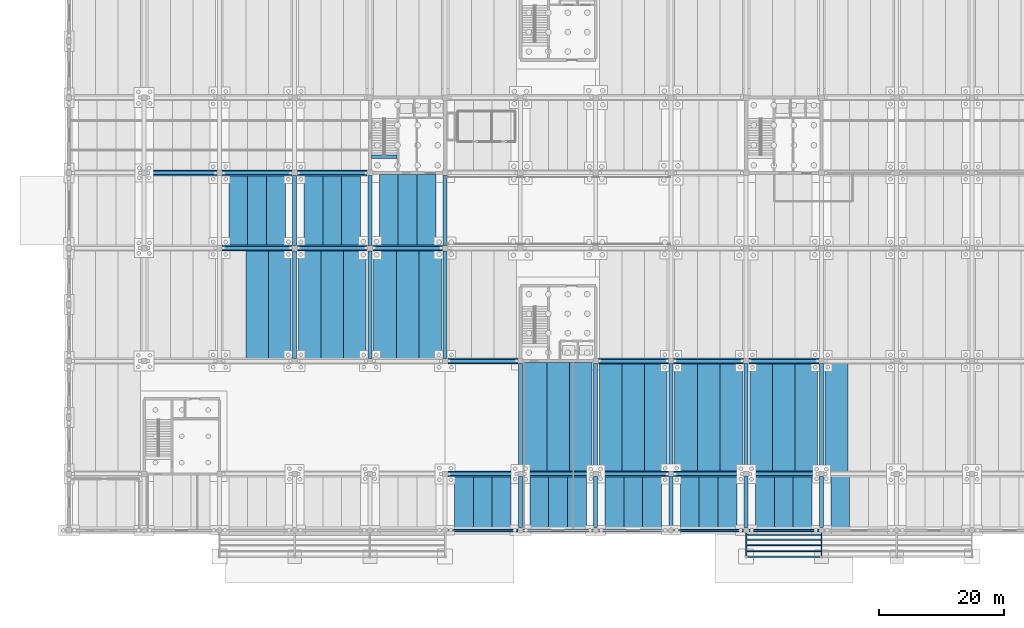
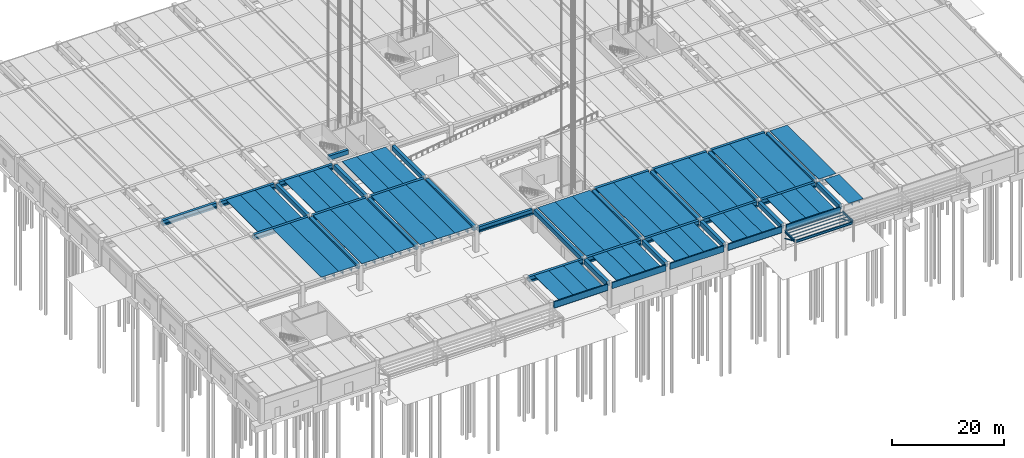
# One storey, part 13 of 59: 89 beams, 6 members.
"""IFC4 building model written with IfcOpenShell, lengths in metres."""

from ifc_helpers import new_model, si_unit, direction, frame, origin, origin_2d, place, context, subcontext, project, spatial, polyline, rectangle, hollow_rectangle, hollow_circle, i_section, outline, extrude, material, material_profile, profile_set, type_object, element, save


model = new_model("IFC4")

# Units and contexts
model_context = context("Model", 3, precision=1e-05, world=origin(), true_north=direction((0.0, 1.0)))
body_context = subcontext(model_context, "Body", "Model", "MODEL_VIEW")
ifc_project = project(units=[si_unit("LENGTHUNIT", "METRE"), si_unit("AREAUNIT", "SQUARE_METRE"), si_unit("VOLUMEUNIT", "CUBIC_METRE"), si_unit("PLANEANGLEUNIT", "RADIAN"), si_unit("MASSUNIT", "GRAM", prefix="KILO")], contexts=[model_context])

# Site, building, storey
site_placement = place(None, origin())
site = spatial("IfcSite", under=ifc_project, at=site_placement, CompositionType="ELEMENT")
building_placement = place(site_placement, origin())
building = spatial("IfcBuilding", under=site, at=building_placement, Name="Girod Span Mobility Hub", CompositionType="ELEMENT")
storey_placement = place(building_placement, origin())
storey = spatial("IfcBuildingStorey", under=building, at=storey_placement, Name="L00", CompositionType="ELEMENT", Elevation=0.0)

# Beams
ifc_material_1 = material(Name="Concrete C50/60", Category="concrete")
ifc_material_profile_1 = material_profile(ifc_material_1, outline(polyline([(-1.5, 0.35009765625), (-1.5, 0.2548828125), (-0.840087890625, 0.2548828125), (-0.81494140625, -0.35009765625), (-0.68505859375, -0.35009765625), (-0.659912109375, 0.2548828125), (0.659912109375, 0.2548828125), (0.68505859375, -0.35009765625), (0.81494140625, -0.35009765625), (0.840087890625, 0.2548828125), (1.5, 0.2548828125), (1.5, 0.35009765625), (-1.5, 0.35009765625)])), Name="DT-3000X700")
ifc_profile_set_1 = profile_set([ifc_material_profile_1], Name="Concrete C50/60")
beam_type_1 = type_object("IfcBeamType", Name="BM-DT-3000X700", PredefinedType="JOIST", material=ifc_profile_set_1)
for number, where, z_axis, x_axis, name in (
    (1, (27.0, 45.27197265625, 4.85009765625), (0.0, 1.0, 0.0), (-1.0, 0.0, 0.0), "Double-Tee Deck 3/D-1 L00"),
    (2, (30.0, 45.27197265625, 4.85009765625), (0.0, 1.0, 0.0), (-1.0, 0.0, 0.0), "Double-Tee Deck 3/D-2 L00"),
    (3, (33.0, 45.27197265625, 4.85009765625), (0.0, 1.0, 0.0), (-1.0, 0.0, 0.0), "Double-Tee Deck 3/D-3 L00"),
    (4, (39.0, 45.27197265625, 4.85009765625), (0.0, 1.0, 0.0), (-1.0, 0.0, 0.0), "Double-Tee Deck 4/D-1 L00"),
    (5, (42.0, 45.27197265625, 4.85009765625), (0.0, 1.0, 0.0), (-1.0, 0.0, 0.0), "Double-Tee Deck 4/D-2 L00"),
    (6, (45.0, 45.27197265625, 4.85009765625), (0.0, 1.0, 0.0), (-1.0, 0.0, 0.0), "Double-Tee Deck 4/D-3 L00"),
):
    element("IfcBeam", number, at=place(storey_placement, frame(where, z_axis=z_axis, x_axis=x_axis)), inside=storey, type_object=beam_type_1, Name=name, PredefinedType="JOIST", context=body_context, shape_type="SweptSolid", body=[
        extrude(outline(polyline([(-1.5, 0.35009765625), (-1.5, 0.2548828125), (-0.840087890625, 0.2548828125), (-0.81494140625, -0.35009765625), (-0.68505859375, -0.35009765625), (-0.659912109375, 0.2548828125), (0.659912109375, 0.2548828125), (0.68505859375, -0.35009765625), (0.81494140625, -0.35009765625), (0.840087890625, 0.2548828125), (1.5, 0.2548828125), (1.5, 0.35009765625), (-1.5, 0.35009765625)])), origin(), (0.0, 0.0, 1.0), 11.4560546875),
    ])
for number, where, z_axis, x_axis, name in (
    (7, (51.0, 45.27197265625, 4.85009765625), (0.0, 1.0, 0.0), (-1.0, 0.0, 0.0), "Double-Tee Deck 5/D-1 L00"),
    (8, (54.0, 45.27197265625, 4.85009765625), (0.0, 1.0, 0.0), (-1.0, 0.0, 0.0), "Double-Tee Deck 5/D-2 L00"),
    (9, (57.0, 45.27197265625, 4.85009765625), (0.0, 1.0, 0.0), (-1.0, 0.0, 0.0), "Double-Tee Deck 5/D-3 L00"),
):
    element("IfcBeam", number, at=place(storey_placement, frame(where, z_axis=z_axis, x_axis=x_axis)), inside=storey, type_object=beam_type_1, Name=name, PredefinedType="JOIST", context=body_context, shape_type="SweptSolid", body=[
        extrude(outline(polyline([(-1.5, 0.35009765625), (-1.5, 0.2548828125), (-0.840087890625, 0.2548828125), (-0.81494140625, -0.35009765625), (-0.68505859375, -0.35009765625), (-0.659912109375, 0.2548828125), (0.659912109375, 0.2548828125), (0.68505859375, -0.35009765625), (0.81494140625, -0.35009765625), (0.840087890625, 0.2548828125), (1.5, 0.2548828125), (1.5, 0.35009765625), (-1.5, 0.35009765625)])), origin(), (0.0, 0.0, 1.0), 11.48095703125),
    ])
for number, where, z_axis, x_axis, name in (
    (10, (63.0, 0.02197265625, 4.85009765625), (0.0, 1.0, 0.0), (-1.0, 0.0, 0.0), "Double-Tee Deck 6/A-1 L00"),
    (11, (66.0, 0.02197265625, 4.85009765625), (0.0, 1.0, 0.0), (-1.0, 0.0, 0.0), "Double-Tee Deck 6/A-2 L00"),
    (12, (69.0, 0.02197265625, 4.85009765625), (0.0, 1.0, 0.0), (-1.0, 0.0, 0.0), "Double-Tee Deck 6/A-3 L00"),
    (13, (75.0, 0.02197265625, 4.85009765625), (0.0, 1.0, 0.0), (-1.0, 0.0, 0.0), "Double-Tee Deck 7/A-1 L00"),
    (14, (78.0, 0.02197265625, 4.85009765625), (0.0, 1.0, 0.0), (-1.0, 0.0, 0.0), "Double-Tee Deck 7/A-2 L00"),
    (15, (81.0, 0.02197265625, 4.85009765625), (0.0, 1.0, 0.0), (-1.0, 0.0, 0.0), "Double-Tee Deck 7/A-3 L00"),
    (16, (87.0, 0.02197265625, 4.85009765625), (0.0, 1.0, 0.0), (-1.0, 0.0, 0.0), "Double-Tee Deck 8/A-1 L00"),
    (17, (90.0, 0.02197265625, 4.85009765625), (0.0, 1.0, 0.0), (-1.0, 0.0, 0.0), "Double-Tee Deck 8/A-2 L00"),
    (18, (93.0, 0.02197265625, 4.85009765625), (0.0, 1.0, 0.0), (-1.0, 0.0, 0.0), "Double-Tee Deck 8/A-3 L00"),
    (19, (99.0, 0.02197265625, 4.85009765625), (0.0, 1.0, 0.0), (-1.0, 0.0, 0.0), "Double-Tee Deck 9/A-1 L00"),
    (20, (102.0, 0.02197265625, 4.85009765625), (0.0, 1.0, 0.0), (-1.0, 0.0, 0.0), "Double-Tee Deck 9/A-2 L00"),
    (21, (105.0, 0.02197265625, 4.85009765625), (0.0, 1.0, 0.0), (-1.0, 0.0, 0.0), "Double-Tee Deck 9/A-3 L00"),
    (22, (111.0, 0.02197265625, 4.85009765625), (0.0, 1.0, 0.0), (-1.0, 0.0, 0.0), "Double-Tee Deck 10/A-1 L00"),
    (23, (114.0, 0.02197265625, 4.85009765625), (0.0, 1.0, 0.0), (-1.0, 0.0, 0.0), "Double-Tee Deck 10/A-2 L00"),
    (24, (117.0, 0.02197265625, 4.85009765625), (0.0, 1.0, 0.0), (-1.0, 0.0, 0.0), "Double-Tee Deck 10/A-3 L00"),
    (25, (123.0, 0.02197265625, 4.85009765625), (0.0, 1.0, 0.0), (-1.0, 0.0, 0.0), "Double-Tee Deck 11/A-1 L00"),
):
    element("IfcBeam", number, at=place(storey_placement, frame(where, z_axis=z_axis, x_axis=x_axis)), inside=storey, type_object=beam_type_1, Name=name, PredefinedType="JOIST", context=body_context, shape_type="SweptSolid", body=[
        extrude(outline(polyline([(-1.5, 0.35009765625), (-1.5, 0.2548828125), (-0.840087890625, 0.2548828125), (-0.81494140625, -0.35009765625), (-0.68505859375, -0.35009765625), (-0.659912109375, 0.2548828125), (0.659912109375, 0.2548828125), (0.68505859375, -0.35009765625), (0.81494140625, -0.35009765625), (0.840087890625, 0.2548828125), (1.5, 0.2548828125), (1.5, 0.35009765625), (-1.5, 0.35009765625)])), origin(), (0.0, 0.0, 1.0), 8.7060546875),
    ])
ifc_material_2 = material(Name="Concrete C50/60", Category="concrete")
ifc_material_profile_2 = material_profile(ifc_material_2, outline(polyline([(-1.800048828125, 0.47509765625), (-1.800048828125, 0.364990234375), (-1.010009765625, 0.364990234375), (-0.97509765625, -0.47509765625), (-0.824951171875, -0.47509765625), (-0.7900390625, 0.364990234375), (0.7900390625, 0.364990234375), (0.824951171875, -0.47509765625), (0.97509765625, -0.47509765625), (1.010009765625, 0.364990234375), (1.800048828125, 0.364990234375), (1.800048828125, 0.47509765625), (-1.800048828125, 0.47509765625)])), Name="DT-3600X950")
ifc_profile_set_2 = profile_set([ifc_material_profile_2], Name="Concrete C50/60")
beam_type_2 = type_object("IfcBeamType", Name="BM-DT-3600X950", PredefinedType="JOIST", material=ifc_profile_set_2)
for number, where, z_axis, x_axis, name in (
    (26, (30.0, 27.27197265625, 4.72509765625), (0.0, 1.0, 0.0), (-1.0, 0.0, 0.0), "Double-Tee Deck 3/C-2 L00"),
    (27, (33.60009765625, 27.27197265625, 4.72509765625), (0.0, 1.0, 0.0), (-1.0, 0.0, 0.0), "Double-Tee Deck 3/C-3 L00"),
    (28, (38.39990234375, 27.27197265625, 4.72509765625), (0.0, 1.0, 0.0), (-1.0, 0.0, 0.0), "Double-Tee Deck 4/C-1 L00"),
    (29, (42.0, 27.27197265625, 4.72509765625), (0.0, 1.0, 0.0), (-1.0, 0.0, 0.0), "Double-Tee Deck 4/C-2 L00"),
    (30, (45.60009765625, 27.27197265625, 4.72509765625), (0.0, 1.0, 0.0), (-1.0, 0.0, 0.0), "Double-Tee Deck 4/C-3 L00"),
    (31, (50.39990234375, 27.27197265625, 4.72509765625), (0.0, 1.0, 0.0), (-1.0, 0.0, 0.0), "Double-Tee Deck 5/C-1 L00"),
    (32, (54.0, 27.27197265625, 4.72509765625), (0.0, 1.0, 0.0), (-1.0, 0.0, 0.0), "Double-Tee Deck 5/C-2 L00"),
    (33, (57.60009765625, 27.27197265625, 4.72509765625), (0.0, 1.0, 0.0), (-1.0, 0.0, 0.0), "Double-Tee Deck 5/C-3 L00"),
):
    element("IfcBeam", number, at=place(storey_placement, frame(where, z_axis=z_axis, x_axis=x_axis)), inside=storey, type_object=beam_type_2, Name=name, PredefinedType="JOIST", context=body_context, shape_type="SweptSolid", body=[
        extrude(outline(polyline([(-1.800048828125, 0.47509765625), (-1.800048828125, 0.364990234375), (-1.010009765625, 0.364990234375), (-0.97509765625, -0.47509765625), (-0.824951171875, -0.47509765625), (-0.7900390625, 0.364990234375), (0.7900390625, 0.364990234375), (0.824951171875, -0.47509765625), (0.97509765625, -0.47509765625), (1.010009765625, 0.364990234375), (1.800048828125, 0.364990234375), (1.800048828125, 0.47509765625), (-1.800048828125, 0.47509765625)])), origin(), (0.0, 0.0, 1.0), 17.4560546875),
    ])
for number, where, z_axis, x_axis, name in (
    (34, (74.39990234375, 9.27197265625, 4.72509765625), (0.0, 1.0, 0.0), (-1.0, 0.0, 0.0), "Double-Tee Deck 7/B-1 L00"),
    (35, (78.0, 9.27197265625, 4.72509765625), (0.0, 1.0, 0.0), (-1.0, 0.0, 0.0), "Double-Tee Deck 7/B-2 L00"),
    (36, (81.60009765625, 9.27197265625, 4.72509765625), (0.0, 1.0, 0.0), (-1.0, 0.0, 0.0), "Double-Tee Deck 7/B-3 L00"),
):
    element("IfcBeam", number, at=place(storey_placement, frame(where, z_axis=z_axis, x_axis=x_axis)), inside=storey, type_object=beam_type_2, Name=name, PredefinedType="JOIST", context=body_context, shape_type="SweptSolid", body=[
        extrude(outline(polyline([(-1.800048828125, 0.47509765625), (-1.800048828125, 0.364990234375), (-1.010009765625, 0.364990234375), (-0.97509765625, -0.47509765625), (-0.824951171875, -0.47509765625), (-0.7900390625, 0.364990234375), (0.7900390625, 0.364990234375), (0.824951171875, -0.47509765625), (0.97509765625, -0.47509765625), (1.010009765625, 0.364990234375), (1.800048828125, 0.364990234375), (1.800048828125, 0.47509765625), (-1.800048828125, 0.47509765625)])), origin(), (0.0, 0.0, 1.0), 17.506103515625),
    ])
for number, where, z_axis, x_axis, name in (
    (37, (86.39990234375, 9.27197265625, 4.72509765625), (0.0, 1.0, 0.0), (-1.0, 0.0, 0.0), "Double-Tee Deck 8/B-1 L00"),
    (38, (90.0, 9.27197265625, 4.72509765625), (0.0, 1.0, 0.0), (-1.0, 0.0, 0.0), "Double-Tee Deck 8/B-2 L00"),
    (39, (93.60009765625, 9.27197265625, 4.72509765625), (0.0, 1.0, 0.0), (-1.0, 0.0, 0.0), "Double-Tee Deck 8/B-3 L00"),
    (40, (98.39990234375, 9.27197265625, 4.72509765625), (0.0, 1.0, 0.0), (-1.0, 0.0, 0.0), "Double-Tee Deck 9/B-1 L00"),
    (41, (102.0, 9.27197265625, 4.72509765625), (0.0, 1.0, 0.0), (-1.0, 0.0, 0.0), "Double-Tee Deck 9/B-2 L00"),
    (42, (105.60009765625, 9.27197265625, 4.72509765625), (0.0, 1.0, 0.0), (-1.0, 0.0, 0.0), "Double-Tee Deck 9/B-3 L00"),
    (43, (110.39990234375, 9.27197265625, 4.72509765625), (0.0, 1.0, 0.0), (-1.0, 0.0, 0.0), "Double-Tee Deck 10/B-1 L00"),
    (44, (114.0, 9.27197265625, 4.72509765625), (0.0, 1.0, 0.0), (-1.0, 0.0, 0.0), "Double-Tee Deck 10/B-2 L00"),
    (45, (117.60009765625, 9.27197265625, 4.72509765625), (0.0, 1.0, 0.0), (-1.0, 0.0, 0.0), "Double-Tee Deck 10/B-3 L00"),
    (46, (122.39990234375, 9.27197265625, 4.72509765625), (0.0, 1.0, 0.0), (-1.0, 0.0, 0.0), "Double-Tee Deck 11/B-1 L00"),
):
    element("IfcBeam", number, at=place(storey_placement, frame(where, z_axis=z_axis, x_axis=x_axis)), inside=storey, type_object=beam_type_2, Name=name, PredefinedType="JOIST", context=body_context, shape_type="SweptSolid", body=[
        extrude(outline(polyline([(-1.800048828125, 0.47509765625), (-1.800048828125, 0.364990234375), (-1.010009765625, 0.364990234375), (-0.97509765625, -0.47509765625), (-0.824951171875, -0.47509765625), (-0.7900390625, 0.364990234375), (0.7900390625, 0.364990234375), (0.824951171875, -0.47509765625), (0.97509765625, -0.47509765625), (1.010009765625, 0.364990234375), (1.800048828125, 0.364990234375), (1.800048828125, 0.47509765625), (-1.800048828125, 0.47509765625)])), origin(), (0.0, 0.0, 1.0), 17.4560546875),
    ])
ifc_material_3 = material(Name="Concrete C50/60", Category="concrete")
ifc_material_profile_3 = material_profile(ifc_material_3, outline(polyline([(-0.47509765625, -0.52490234375), (0.47509765625, -0.52490234375), (0.47509765625, -0.175048828125), (0.27490234375, -0.175048828125), (0.27490234375, 0.52490234375), (-0.27490234375, 0.52490234375), (-0.27490234375, -0.175048828125), (-0.47509765625, -0.175048828125), (-0.47509765625, -0.52490234375)])), Name="IT-950X1050")
ifc_profile_set_3 = profile_set([ifc_material_profile_3], Name="Concrete C50/60")
beam_type_3 = type_object("IfcBeamType", Name="BM-IT-950X1050", PredefinedType="T_BEAM", material=ifc_profile_set_3)
for number, where, z_axis, x_axis, name in (
    (47, (60.422119140625, 9.0, 4.675048828125), (1.0, 0.0, 0.0), (0.0, 1.0, 0.0), "Girder 6-7/B L00"),
    (48, (72.422119140625, 9.0, 4.675048828125), (1.0, 0.0, 0.0), (0.0, 1.0, 0.0), "Girder 7-8/B L00"),
    (49, (84.422119140625, 9.0, 4.675048828125), (1.0, 0.0, 0.0), (0.0, 1.0, 0.0), "Girder 8-9/B L00"),
    (50, (96.422119140625, 9.0, 4.675048828125), (1.0, 0.0, 0.0), (0.0, 1.0, 0.0), "Girder 9-10/B L00"),
    (51, (108.422119140625, 9.0, 4.675048828125), (1.0, 0.0, 0.0), (0.0, 1.0, 0.0), "Girder 10-11/B L00"),
    (52, (60.422119140625, 27.0, 4.675048828125), (1.0, 0.0, 0.0), (0.0, 1.0, 0.0), "Girder 6-7/C L00"),
    (53, (84.422119140625, 27.0, 4.675048828125), (1.0, 0.0, 0.0), (0.0, 1.0, 0.0), "Girder 8-9/C L00"),
    (54, (96.422119140625, 27.0, 4.675048828125), (1.0, 0.0, 0.0), (0.0, 1.0, 0.0), "Girder 9-10/C L00"),
    (55, (108.422119140625, 27.0, 4.675048828125), (1.0, 0.0, 0.0), (0.0, 1.0, 0.0), "Girder 10-11/C L00"),
    (56, (24.422119140625, 45.0, 4.675048828125), (1.0, 0.0, 0.0), (0.0, 1.0, 0.0), "Girder 3-4/D L00"),
):
    element("IfcBeam", number, at=place(storey_placement, frame(where, z_axis=z_axis, x_axis=x_axis)), inside=storey, type_object=beam_type_3, Name=name, PredefinedType="T_BEAM", context=body_context, shape_type="SweptSolid", body=[
        extrude(outline(polyline([(-0.47509765625, -0.52490234375), (0.47509765625, -0.52490234375), (0.47509765625, -0.175048828125), (0.27490234375, -0.175048828125), (0.27490234375, 0.52490234375), (-0.27490234375, 0.52490234375), (-0.27490234375, -0.175048828125), (-0.47509765625, -0.175048828125), (-0.47509765625, -0.52490234375)])), origin(), (0.0, 0.0, 1.0), 11.15576171875),
    ])
beam_1_placement = place(storey_placement, frame((36.422119140625, 45.0, 4.675048828125), z_axis=(1.0, 0.0, 0.0), x_axis=(0.0, 1.0, 0.0)))
element("IfcBeam", 57, at=beam_1_placement, inside=storey, type_object=beam_type_3, Name="Girder 4-5/D L00", PredefinedType="T_BEAM", context=body_context, shape_type="SweptSolid", body=[
    extrude(outline(polyline([(-0.47509765625, -0.52490234375), (0.47509765625, -0.52490234375), (0.47509765625, -0.175048828125), (0.27490234375, -0.175048828125), (0.27490234375, 0.52490234375), (-0.27490234375, 0.52490234375), (-0.27490234375, -0.175048828125), (-0.47509765625, -0.175048828125), (-0.47509765625, -0.52490234375)])), origin(), (0.0, 0.0, 1.0), 11.130859375),
])
beam_2_placement = place(storey_placement, frame((48.447021484375, 45.0, 4.675048828125), z_axis=(1.0, 0.0, 0.0), x_axis=(0.0, 1.0, 0.0)))
element("IfcBeam", 58, at=beam_2_placement, inside=storey, type_object=beam_type_3, Name="Girder 5-6/D L00", PredefinedType="T_BEAM", context=body_context, shape_type="SweptSolid", body=[
    extrude(outline(polyline([(-0.47509765625, -0.52490234375), (0.47509765625, -0.52490234375), (0.47509765625, -0.175048828125), (0.27490234375, -0.175048828125), (0.27490234375, 0.52490234375), (-0.27490234375, 0.52490234375), (-0.27490234375, -0.175048828125), (-0.47509765625, -0.175048828125), (-0.47509765625, -0.52490234375)])), origin(), (0.0, 0.0, 1.0), 11.10595703125),
])
for number, where, z_axis, x_axis, name in (
    (59, (12.422119140625, 57.0, 4.675048828125), (1.0, 0.0, 0.0), (0.0, 1.0, 0.0), "Girder 2-3/E L00"),
    (60, (24.422119140625, 57.0, 4.675048828125), (1.0, 0.0, 0.0), (0.0, 1.0, 0.0), "Girder 3-4/E L00"),
):
    element("IfcBeam", number, at=place(storey_placement, frame(where, z_axis=z_axis, x_axis=x_axis)), inside=storey, type_object=beam_type_3, Name=name, PredefinedType="T_BEAM", context=body_context, shape_type="SweptSolid", body=[
        extrude(outline(polyline([(-0.47509765625, -0.52490234375), (0.47509765625, -0.52490234375), (0.47509765625, -0.175048828125), (0.27490234375, -0.175048828125), (0.27490234375, 0.52490234375), (-0.27490234375, 0.52490234375), (-0.27490234375, -0.175048828125), (-0.47509765625, -0.175048828125), (-0.47509765625, -0.52490234375)])), origin(), (0.0, 0.0, 1.0), 11.15576171875),
    ])
beam_3_placement = place(storey_placement, frame((36.422119140625, 57.0, 4.675048828125), z_axis=(1.0, 0.0, 0.0), x_axis=(0.0, 1.0, 0.0)))
element("IfcBeam", 61, at=beam_3_placement, inside=storey, type_object=beam_type_3, Name="Girder 4-5/E L00", PredefinedType="T_BEAM", context=body_context, shape_type="SweptSolid", body=[
    extrude(outline(polyline([(-0.47509765625, -0.52490234375), (0.47509765625, -0.52490234375), (0.47509765625, -0.175048828125), (0.27490234375, -0.175048828125), (0.27490234375, 0.52490234375), (-0.27490234375, 0.52490234375), (-0.27490234375, -0.175048828125), (-0.47509765625, -0.175048828125), (-0.47509765625, -0.52490234375)])), origin(), (0.0, 0.0, 1.0), 11.130859375),
])
ifc_material_4 = material(Name="Steel HSS A500 Grade C", Category="steel")
ifc_material_profile_4 = material_profile(ifc_material_4, hollow_rectangle(XDim=0.152099609375, YDim=0.152099609375, WallThickness=0.0087890625, InnerFilletRadius=0.0087890625, OuterFilletRadius=0.017578125, at=origin_2d()), Name="HSS152X152X9.5")
ifc_profile_set_4 = profile_set([ifc_material_profile_4], Name="Steel HSS A500 Grade C")
beam_type_4 = type_object("IfcBeamType", Name="BM-LTL-HSS152", PredefinedType="LINTEL", material=ifc_profile_set_4)
for number, where, z_axis, x_axis, name in (
    (62, (60.422119140625, 0.0, 3.72412109375), (1.0, 0.0, 0.0), (0.0, 1.0, 0.0), "Boulevard Portal Lintel LTL-4"),
    (63, (96.422119140625, 0.0, 3.72412109375), (1.0, 0.0, 0.0), (0.0, 1.0, 0.0), "Boulevard Portal Lintel LTL-5"),
    (64, (108.422119140625, 0.0, 3.72412109375), (1.0, 0.0, 0.0), (0.0, 1.0, 0.0), "Boulevard Portal Lintel LTL-6"),
):
    element("IfcBeam", number, at=place(storey_placement, frame(where, z_axis=z_axis, x_axis=x_axis)), inside=storey, type_object=beam_type_4, Name=name, PredefinedType="LINTEL", context=body_context, shape_type="SweptSolid", body=[
        extrude(hollow_rectangle(XDim=0.152099609375, YDim=0.152099609375, WallThickness=0.0087890625, InnerFilletRadius=0.0087890625, OuterFilletRadius=0.017578125, at=origin_2d()), origin(), (0.0, 0.0, 1.0), 11.15576171875),
    ])
ifc_material_5 = material(Name="Concrete C40/50", Category="concrete")
ifc_material_profile_5 = material_profile(ifc_material_5, rectangle(XDim=0.550048828125, YDim=0.949951171875, at=origin_2d()), Name="RK-550X950")
ifc_profile_set_5 = profile_set([ifc_material_profile_5], Name="Concrete C40/50")
beam_type_5 = type_object("IfcBeamType", Name="BM-RK-550X950", PredefinedType="BEAM", material=ifc_profile_set_5)
beam_4_placement = place(storey_placement, frame((48.2470703125, 59.550048828125, 4.72509765625), z_axis=(1.0, 0.0, 0.0), x_axis=(0.0, 1.0, 0.0)))
element("IfcBeam", 65, at=beam_4_placement, inside=storey, type_object=beam_type_5, Name="Stair ST-1 Landing Header Beam L00", PredefinedType="BEAM", context=body_context, shape_type="SweptSolid", body=[
    extrude(rectangle(XDim=0.550048828125, YDim=0.949951171875, at=origin_2d()), origin(), (0.0, 0.0, 1.0), 4.055908203125),
])
ifc_material_6 = material(Name="Concrete C40/50", Category="concrete")
ifc_material_profile_6 = material_profile(ifc_material_6, outline(polyline([(-0.22509765625, -0.675048828125), (0.22509765625, -0.675048828125), (0.22509765625, -0.324951171875), (0.02490234375, -0.324951171875), (0.02490234375, 0.675048828125), (-0.22509765625, 0.675048828125), (-0.22509765625, -0.675048828125)])), Name="SP-450X1350")
ifc_profile_set_6 = profile_set([ifc_material_profile_6], Name="Concrete C40/50")
beam_type_6 = type_object("IfcBeamType", Name="BM-SP-450X1350", PredefinedType="SPANDREL", material=ifc_profile_set_6)
for number, where, z_axis, x_axis, name in (
    (66, (60.422119140625, 0.0, 4.52490234375), (1.0, 0.0, 0.0), (0.0, 1.0, 0.0), "Girder 6-7/A L00"),
    (67, (72.422119140625, 0.0, 4.52490234375), (1.0, 0.0, 0.0), (0.0, 1.0, 0.0), "Girder 7-8/A L00"),
    (68, (84.422119140625, 0.0, 4.52490234375), (1.0, 0.0, 0.0), (0.0, 1.0, 0.0), "Girder 8-9/A L00"),
    (69, (96.422119140625, 0.0, 4.52490234375), (1.0, 0.0, 0.0), (0.0, 1.0, 0.0), "Girder 9-10/A L00"),
    (70, (108.422119140625, 0.0, 4.52490234375), (1.0, 0.0, 0.0), (0.0, 1.0, 0.0), "Girder 10-11/A L00"),
):
    element("IfcBeam", number, at=place(storey_placement, frame(where, z_axis=z_axis, x_axis=x_axis)), inside=storey, type_object=beam_type_6, Name=name, PredefinedType="SPANDREL", context=body_context, shape_type="SweptSolid", body=[
        extrude(outline(polyline([(-0.22509765625, -0.675048828125), (0.22509765625, -0.675048828125), (0.22509765625, -0.324951171875), (0.02490234375, -0.324951171875), (0.02490234375, 0.675048828125), (-0.22509765625, 0.675048828125), (-0.22509765625, -0.675048828125)])), origin(), (0.0, 0.0, 1.0), 11.15576171875),
    ])
ifc_material_7 = material(Name="Steel A992 Grade 50", Category="steel")
ifc_material_profile_7 = material_profile(ifc_material_7, i_section(OverallWidth=0.2119140625, OverallDepth=0.5439453125, WebThickness=0.01318359375, FlangeThickness=0.021240234375, FilletRadius=0.014892578125, at=origin_2d()), Name="W21X83")
ifc_profile_set_7 = profile_set([ifc_material_profile_7], Name="Steel A992 Grade 50")
beam_type_7 = type_object("IfcBeamType", Name="BM-STL-W21X83", PredefinedType="SPANDREL", material=ifc_profile_set_7)
for number, where, z_axis, x_axis, name in (
    (71, (108.0, -4.041015625, 4.14794921875), (0.0, 1.0, 0.0), (-1.0, 0.0, 0.0), "Canopy Tie Girder E-1"),
    (72, (120.0, -4.041015625, 4.14794921875), (0.0, 1.0, 0.0), (-1.0, 0.0, 0.0), "Canopy Tie Girder E-2"),
):
    element("IfcBeam", number, at=place(storey_placement, frame(where, z_axis=z_axis, x_axis=x_axis)), inside=storey, type_object=beam_type_7, Name=name, PredefinedType="BEAM", context=body_context, shape_type="SweptSolid", body=[
        extrude(i_section(OverallWidth=0.2119140625, OverallDepth=0.5439453125, WebThickness=0.01318359375, FlangeThickness=0.021240234375, FilletRadius=0.014892578125, at=origin_2d()), origin(), (0.0, 0.0, 1.0), 3.618896484375),
    ])
beam_5_placement = place(storey_placement, frame((108.158935546875, -4.199951171875, 4.14794921875), z_axis=(1.0, 0.0, 0.0), x_axis=(0.0, 1.0, 0.0)))
element("IfcBeam", 73, at=beam_5_placement, inside=storey, type_object=beam_type_7, Name="Canopy Edge Spandrel E-1", PredefinedType="SPANDREL", context=body_context, shape_type="SweptSolid", body=[
    extrude(i_section(OverallWidth=0.2119140625, OverallDepth=0.5439453125, WebThickness=0.01318359375, FlangeThickness=0.021240234375, FilletRadius=0.014892578125, at=origin_2d()), origin(), (0.0, 0.0, 1.0), 11.68212890625),
])
ifc_material_8 = material(Name="Concrete C40/50", Category="concrete")
ifc_material_profile_8 = material_profile(ifc_material_8, rectangle(XDim=0.64990234375, YDim=1.0, at=origin_2d()), Name="TG-650X1000")
ifc_profile_set_8 = profile_set([ifc_material_profile_8], Name="Concrete C40/50")
beam_type_8 = type_object("IfcBeamType", Name="BM-TG-650X1000", PredefinedType="T_BEAM", material=ifc_profile_set_8)
beam_6_placement = place(storey_placement, frame((36.0, 27.422119140625, 4.699951171875), z_axis=(0.0, 1.0, 0.0), x_axis=(-1.0, 0.0, 0.0)))
element("IfcBeam", 74, at=beam_6_placement, inside=storey, type_object=beam_type_8, Name="Tie Girder 4/C-D L00", PredefinedType="T_BEAM", context=body_context, shape_type="SweptSolid", body=[
    extrude(rectangle(XDim=0.64990234375, YDim=1.0, at=origin_2d()), origin(), (0.0, 0.0, 1.0), 17.15576171875),
])
beam_7_placement = place(storey_placement, frame((36.0, 45.422119140625, 4.699951171875), z_axis=(0.0, 1.0, 0.0), x_axis=(-1.0, 0.0, 0.0)))
element("IfcBeam", 75, at=beam_7_placement, inside=storey, type_object=beam_type_8, Name="Tie Girder 4/D-E L00", PredefinedType="T_BEAM", context=body_context, shape_type="SweptSolid", body=[
    extrude(rectangle(XDim=0.64990234375, YDim=1.0, at=origin_2d()), origin(), (0.0, 0.0, 1.0), 11.15576171875),
])
beam_8_placement = place(storey_placement, frame((48.0, 27.422119140625, 4.699951171875), z_axis=(0.0, 1.0, 0.0), x_axis=(-1.0, 0.0, 0.0)))
element("IfcBeam", 76, at=beam_8_placement, inside=storey, type_object=beam_type_8, Name="Tie Girder 5/C-D L00", PredefinedType="T_BEAM", context=body_context, shape_type="SweptSolid", body=[
    extrude(rectangle(XDim=0.64990234375, YDim=1.0, at=origin_2d()), origin(), (0.0, 0.0, 1.0), 17.130859375),
])
beam_9_placement = place(storey_placement, frame((48.0, 45.447021484375, 4.699951171875), z_axis=(0.0, 1.0, 0.0), x_axis=(-1.0, 0.0, 0.0)))
element("IfcBeam", 77, at=beam_9_placement, inside=storey, type_object=beam_type_8, Name="Tie Girder 5/D-E L00", PredefinedType="T_BEAM", context=body_context, shape_type="SweptSolid", body=[
    extrude(rectangle(XDim=0.64990234375, YDim=1.0, at=origin_2d()), origin(), (0.0, 0.0, 1.0), 11.10595703125),
])
beam_10_placement = place(storey_placement, frame((60.0, 27.422119140625, 4.699951171875), z_axis=(0.0, 1.0, 0.0), x_axis=(-1.0, 0.0, 0.0)))
element("IfcBeam", 78, at=beam_10_placement, inside=storey, type_object=beam_type_8, Name="Tie Girder 6/C-D L00", PredefinedType="T_BEAM", context=body_context, shape_type="SweptSolid", body=[
    extrude(rectangle(XDim=0.64990234375, YDim=1.0, at=origin_2d()), origin(), (0.0, 0.0, 1.0), 17.130859375),
])
beam_11_placement = place(storey_placement, frame((60.0, 45.447021484375, 4.699951171875), z_axis=(0.0, 1.0, 0.0), x_axis=(-1.0, 0.0, 0.0)))
element("IfcBeam", 79, at=beam_11_placement, inside=storey, type_object=beam_type_8, Name="Tie Girder 6/D-E L00", PredefinedType="T_BEAM", context=body_context, shape_type="SweptSolid", body=[
    extrude(rectangle(XDim=0.64990234375, YDim=1.0, at=origin_2d()), origin(), (0.0, 0.0, 1.0), 11.10595703125),
])
beam_12_placement = place(storey_placement, frame((72.0, 0.422119140625, 4.699951171875), z_axis=(0.0, 1.0, 0.0), x_axis=(-1.0, 0.0, 0.0)))
element("IfcBeam", 80, at=beam_12_placement, inside=storey, type_object=beam_type_8, Name="Tie Girder 7/A-B L00", PredefinedType="T_BEAM", context=body_context, shape_type="SweptSolid", body=[
    extrude(rectangle(XDim=0.64990234375, YDim=1.0, at=origin_2d()), origin(), (0.0, 0.0, 1.0), 8.15576171875),
])
beam_13_placement = place(storey_placement, frame((72.0, 9.422119140625, 4.699951171875), z_axis=(0.0, 1.0, 0.0), x_axis=(-1.0, 0.0, 0.0)))
element("IfcBeam", 81, at=beam_13_placement, inside=storey, type_object=beam_type_8, Name="Tie Girder 7/B-C L00", PredefinedType="T_BEAM", context=body_context, shape_type="SweptSolid", body=[
    extrude(rectangle(XDim=0.64990234375, YDim=1.0, at=origin_2d()), origin(), (0.0, 0.0, 1.0), 17.15576171875),
])
beam_14_placement = place(storey_placement, frame((84.0, 0.422119140625, 4.699951171875), z_axis=(0.0, 1.0, 0.0), x_axis=(-1.0, 0.0, 0.0)))
element("IfcBeam", 82, at=beam_14_placement, inside=storey, type_object=beam_type_8, Name="Tie Girder 8/A-B L00", PredefinedType="T_BEAM", context=body_context, shape_type="SweptSolid", body=[
    extrude(rectangle(XDim=0.64990234375, YDim=1.0, at=origin_2d()), origin(), (0.0, 0.0, 1.0), 8.15576171875),
])
beam_15_placement = place(storey_placement, frame((84.0, 9.422119140625, 4.699951171875), z_axis=(0.0, 1.0, 0.0), x_axis=(-1.0, 0.0, 0.0)))
element("IfcBeam", 83, at=beam_15_placement, inside=storey, type_object=beam_type_8, Name="Tie Girder 8/B-C L00", PredefinedType="T_BEAM", context=body_context, shape_type="SweptSolid", body=[
    extrude(rectangle(XDim=0.64990234375, YDim=1.0, at=origin_2d()), origin(), (0.0, 0.0, 1.0), 17.15576171875),
])
beam_16_placement = place(storey_placement, frame((96.0, 0.422119140625, 4.699951171875), z_axis=(0.0, 1.0, 0.0), x_axis=(-1.0, 0.0, 0.0)))
element("IfcBeam", 84, at=beam_16_placement, inside=storey, type_object=beam_type_8, Name="Tie Girder 9/A-B L00", PredefinedType="T_BEAM", context=body_context, shape_type="SweptSolid", body=[
    extrude(rectangle(XDim=0.64990234375, YDim=1.0, at=origin_2d()), origin(), (0.0, 0.0, 1.0), 8.15576171875),
])
beam_17_placement = place(storey_placement, frame((96.0, 9.422119140625, 4.699951171875), z_axis=(0.0, 1.0, 0.0), x_axis=(-1.0, 0.0, 0.0)))
element("IfcBeam", 85, at=beam_17_placement, inside=storey, type_object=beam_type_8, Name="Tie Girder 9/B-C L00", PredefinedType="T_BEAM", context=body_context, shape_type="SweptSolid", body=[
    extrude(rectangle(XDim=0.64990234375, YDim=1.0, at=origin_2d()), origin(), (0.0, 0.0, 1.0), 17.15576171875),
])
beam_18_placement = place(storey_placement, frame((108.0, 0.422119140625, 4.699951171875), z_axis=(0.0, 1.0, 0.0), x_axis=(-1.0, 0.0, 0.0)))
element("IfcBeam", 86, at=beam_18_placement, inside=storey, type_object=beam_type_8, Name="Tie Girder 10/A-B L00", PredefinedType="T_BEAM", context=body_context, shape_type="SweptSolid", body=[
    extrude(rectangle(XDim=0.64990234375, YDim=1.0, at=origin_2d()), origin(), (0.0, 0.0, 1.0), 8.15576171875),
])
beam_19_placement = place(storey_placement, frame((108.0, 9.422119140625, 4.699951171875), z_axis=(0.0, 1.0, 0.0), x_axis=(-1.0, 0.0, 0.0)))
element("IfcBeam", 87, at=beam_19_placement, inside=storey, type_object=beam_type_8, Name="Tie Girder 10/B-C L00", PredefinedType="T_BEAM", context=body_context, shape_type="SweptSolid", body=[
    extrude(rectangle(XDim=0.64990234375, YDim=1.0, at=origin_2d()), origin(), (0.0, 0.0, 1.0), 17.15576171875),
])
beam_20_placement = place(storey_placement, frame((120.0, 0.422119140625, 4.699951171875), z_axis=(0.0, 1.0, 0.0), x_axis=(-1.0, 0.0, 0.0)))
element("IfcBeam", 88, at=beam_20_placement, inside=storey, type_object=beam_type_8, Name="Tie Girder 11/A-B L00", PredefinedType="T_BEAM", context=body_context, shape_type="SweptSolid", body=[
    extrude(rectangle(XDim=0.64990234375, YDim=1.0, at=origin_2d()), origin(), (0.0, 0.0, 1.0), 8.15576171875),
])
beam_21_placement = place(storey_placement, frame((120.0, 9.422119140625, 4.699951171875), z_axis=(0.0, 1.0, 0.0), x_axis=(-1.0, 0.0, 0.0)))
element("IfcBeam", 89, at=beam_21_placement, inside=storey, type_object=beam_type_8, Name="Tie Girder 11/B-C L00", PredefinedType="T_BEAM", context=body_context, shape_type="SweptSolid", body=[
    extrude(rectangle(XDim=0.64990234375, YDim=1.0, at=origin_2d()), origin(), (0.0, 0.0, 1.0), 17.15576171875),
])

# Members
ifc_material_9 = material(Name="Steel HSS A500 Grade C", Category="steel")
ifc_material_profile_9 = material_profile(ifc_material_9, hollow_rectangle(XDim=0.152099609375, YDim=0.152099609375, WallThickness=0.0087890625, InnerFilletRadius=0.0087890625, OuterFilletRadius=0.017578125, at=origin_2d()), Name="HSS152X152X9.5")
ifc_profile_set_9 = profile_set([ifc_material_profile_9], Name="Steel HSS A500 Grade C")
member_type_1 = type_object("IfcMemberType", Name="MB-PR-HSS152", PredefinedType="PURLIN", material=ifc_profile_set_9)
for number, where, z_axis, x_axis, name in (
    (90, (108.10302734375, -3.300048828125, 4.343994140625), (1.0, 0.0, 0.0), (0.0, 1.0, 0.0), "Canopy Purlin E-1-1"),
    (91, (108.10302734375, -2.39990234375, 4.343994140625), (1.0, 0.0, 0.0), (0.0, 1.0, 0.0), "Canopy Purlin E-1-2"),
    (92, (108.10302734375, -1.5, 4.343994140625), (1.0, 0.0, 0.0), (0.0, 1.0, 0.0), "Canopy Purlin E-1-3"),
    (93, (108.10302734375, -0.699951171875, 4.343994140625), (1.0, 0.0, 0.0), (0.0, 1.0, 0.0), "Canopy Purlin E-1-4"),
):
    element("IfcMember", number, at=place(storey_placement, frame(where, z_axis=z_axis, x_axis=x_axis)), inside=storey, type_object=member_type_1, Name=name, PredefinedType="PURLIN", context=body_context, shape_type="SweptSolid", body=[
        extrude(hollow_rectangle(XDim=0.152099609375, YDim=0.152099609375, WallThickness=0.0087890625, InnerFilletRadius=0.0087890625, OuterFilletRadius=0.017578125, at=origin_2d()), origin(), (0.0, 0.0, 1.0), 11.7939453125),
    ])
ifc_material_10 = material(Name="Steel HSS A500 Grade C", Category="steel")
ifc_material_profile_10 = material_profile(ifc_material_10, hollow_circle(Radius=0.109619140625, WallThickness=0.0087890625, at=origin_2d()), Name="HSS219X9.5")
ifc_profile_set_10 = profile_set([ifc_material_profile_10], Name="Steel HSS A500 Grade C")
member_type_2 = type_object("IfcMemberType", Name="MB-ST-HSS219", PredefinedType="STRUT", material=ifc_profile_set_10)
for number, where, z_axis, x_axis, name in (
    (94, (108.0, -0.4150390625, 2.550048828125), (0.0, -0.915193473082, 0.403014772469), (1.0, 0.0, 0.0), "Canopy Bracing Strut E-1"),
    (95, (120.0, -0.4150390625, 2.550048828125), (0.0, -0.915193473082, 0.403014772469), (1.0, 0.0, 0.0), "Canopy Bracing Strut E-2"),
):
    element("IfcMember", number, at=place(storey_placement, frame(where, z_axis=z_axis, x_axis=x_axis)), inside=storey, type_object=member_type_2, Name=name, PredefinedType="STRUT", context=body_context, shape_type="SweptSolid", body=[
        extrude(hollow_circle(Radius=0.109619140625, WallThickness=0.0087890625, at=origin_2d()), origin(), (0.0, 0.0, 1.0), 3.9697265625),
    ])

save(model, "model.ifc")
